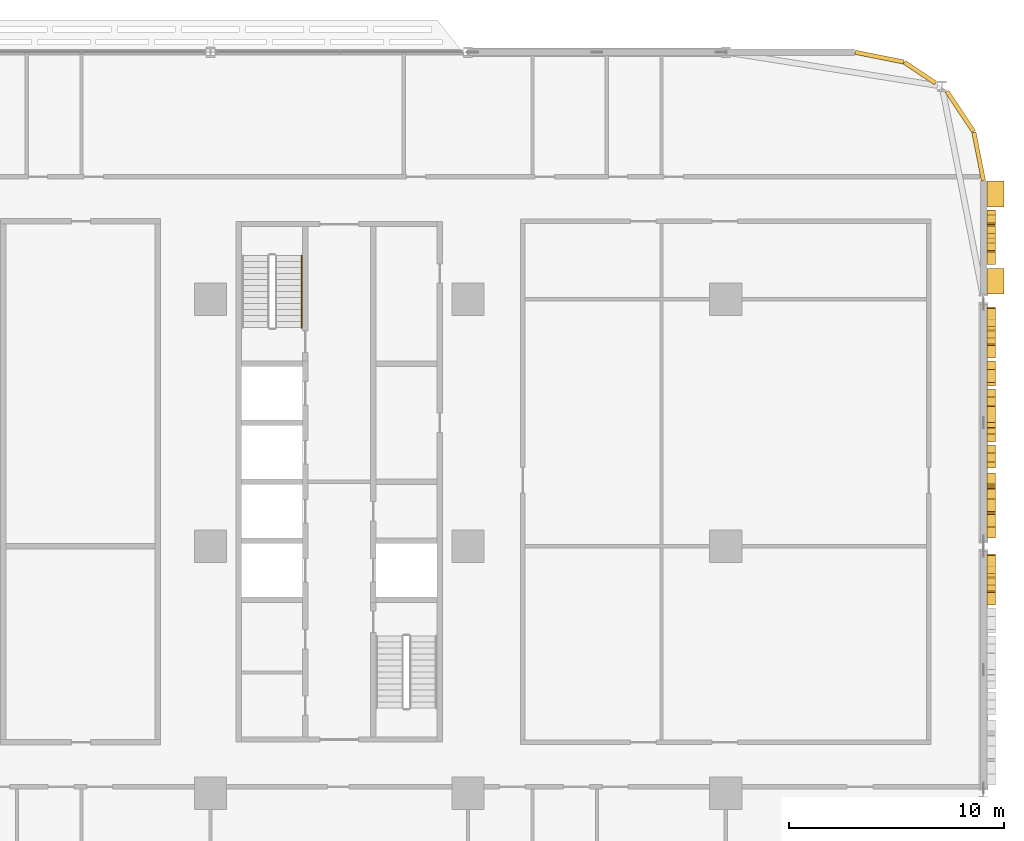
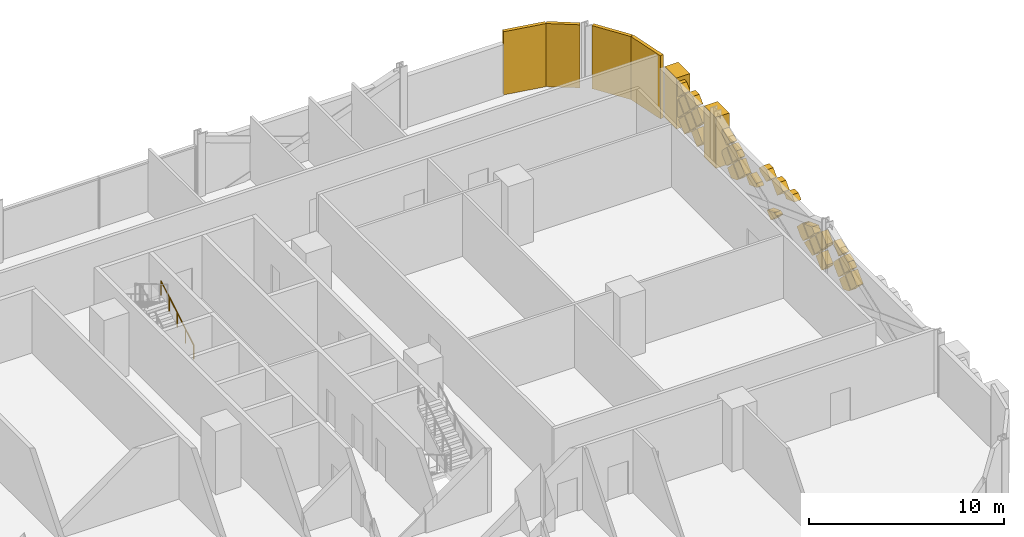
# One storey, part 29 of 29: 35 coverings, 1 railing.
"""IFC4 building model written with IfcOpenShell, lengths in metres."""

import ifcopenshell
import ifcopenshell.guid

model = None  # the IFC model being written
_history = None  # IfcOwnerHistory: only IFC2X3 demands one
_inside = {}  # id of a spatial element -> (the spatial element, [elements in it])
_under = {}  # id of a project, library or spatial element -> (it, [spatial elements below it])
_declared = {}  # id of a project -> (the project, [libraries it declares])
_typed = {}  # id of a type object -> (the type object, [elements of that type])
_made_of = {}  # id of a material, layer set ... -> (it, [elements and type objects made of it])


def new_model(schema):
    """Start an empty IFC model of exactly this schema.

    Asked for "IFC4X3", IfcOpenShell would pick the latest addendum, in which some entities
    have other attributes; the version numbers below select the first issue.
    IFC2X3 requires an IfcOwnerHistory on every rooted entity: one is made here for all.
    """
    global model, _history
    if schema == "IFC4X3":
        model = ifcopenshell.file(schema_version=(4, 3, 0, 0))
    else:
        model = ifcopenshell.file(schema=schema)
    _inside.clear()
    _under.clear()
    _declared.clear()
    _typed.clear()
    _made_of.clear()
    _history = None
    if model.schema == "IFC2X3":
        org = make("IfcOrganization", Name="unknown")
        user = make(
            "IfcPersonAndOrganization",
            ThePerson=make("IfcPerson", FamilyName="unknown"),
            TheOrganization=org,
        )
        app = make(
            "IfcApplication",
            ApplicationDeveloper=org,
            Version="unknown",
            ApplicationFullName="unknown",
            ApplicationIdentifier="unknown",
        )
        _history = make(
            "IfcOwnerHistory",
            OwningUser=user,
            OwningApplication=app,
            ChangeAction="ADDED",
            CreationDate=0,
        )
    return model


def make(cls, **values):
    """One entity of the class cls with the attributes given. An attribute that is None is left unset."""
    return model.create_entity(
        cls, **{name: value for name, value in values.items() if value is not None}
    )


def rooted(cls, **values):
    """An entity with a GlobalId (a new one), such as an element, a storey or a relation."""
    return make(cls, GlobalId=ifcopenshell.guid.new(), OwnerHistory=_history, **values)


def si_unit(unit_type, name, prefix=None):
    """IfcSIUnit, for example si_unit("LENGTHUNIT", "METRE", prefix="MILLI")."""
    return make("IfcSIUnit", UnitType=unit_type, Prefix=prefix, Name=name)


def assignment(units):
    """IfcUnitAssignment: the units of a project."""
    return None if units is None else make("IfcUnitAssignment", Units=units)


def point(xyz):
    """IfcCartesianPoint."""
    return None if xyz is None else make("IfcCartesianPoint", Coordinates=xyz)


def direction(xyz):
    """IfcDirection."""
    return None if xyz is None else make("IfcDirection", DirectionRatios=xyz)


def frame(location, z_axis=None, x_axis=None):
    """IfcAxis2Placement3D, a coordinate frame: its origin and axes. An axis left out is left unset."""
    return make(
        "IfcAxis2Placement3D",
        Location=point(location),
        Axis=direction(z_axis),
        RefDirection=direction(x_axis),
    )


def frame_2d(location, x_axis=None):
    """IfcAxis2Placement2D, a coordinate frame in the plane: its origin and x axis."""
    return make(
        "IfcAxis2Placement2D", Location=point(location), RefDirection=direction(x_axis)
    )


def origin():
    """The frame at (0, 0, 0) with its axes left unset."""
    return frame((0.0, 0.0, 0.0))


def origin_2d():
    """The frame at (0, 0) in the plane with its x axis left unset."""
    return frame_2d((0.0, 0.0))


def place(relative_to, where):
    """IfcLocalPlacement: puts the frame where relative to a parent placement (None: the world)."""
    return make(
        "IfcLocalPlacement", PlacementRelTo=relative_to, RelativePlacement=where
    )


def context(
    kind, dimensions, precision=None, world=None, true_north=None, identifier=None
):
    """IfcGeometricRepresentationContext, for example the 3D "Model" context."""
    return make(
        "IfcGeometricRepresentationContext",
        ContextIdentifier=identifier,
        ContextType=kind,
        CoordinateSpaceDimension=dimensions,
        Precision=precision,
        WorldCoordinateSystem=world,
        TrueNorth=true_north,
    )


def subcontext(parent, identifier, kind, view, scale=None):
    """IfcGeometricRepresentationSubContext, for example "Body" below "Model"."""
    return make(
        "IfcGeometricRepresentationSubContext",
        ContextIdentifier=identifier,
        ContextType=kind,
        ParentContext=parent,
        TargetScale=scale,
        TargetView=view,
    )


def project(units=None, contexts=None):
    """IfcProject with its units and contexts."""
    return rooted(
        "IfcProject",
        Name="project",
        RepresentationContexts=contexts,
        UnitsInContext=assignment(units),
    )


def spatial(cls, under=None, at=None, **own):
    """A site, building, storey or space (cls), placed at a placement, below another one or the project."""
    s = rooted(cls, ObjectPlacement=at, **own)
    if under is not None:
        _under.setdefault(under.id(), (under, []))[1].append(s)
    return s


def polyline(points):
    """IfcPolyline through the points."""
    return make("IfcPolyline", Points=[point(p) for p in points])


def profile(cls, at=None, kind="AREA", **sizes):
    """A parametric profile (cls). Its sizes go by their IFC names, for example OverallWidth=200.0."""
    return make(cls, ProfileType=kind, Position=at, **sizes)


def rectangle(**sizes):
    """IfcRectangleProfileDef."""
    return profile("IfcRectangleProfileDef", **sizes)


def circle(**sizes):
    """IfcCircleProfileDef."""
    return profile("IfcCircleProfileDef", **sizes)


def outline(outer, holes=None, kind="AREA"):
    """IfcArbitraryClosedProfileDef: a profile drawn as a closed curve; with holes, ...WithVoids."""
    if holes is None:
        return make("IfcArbitraryClosedProfileDef", ProfileType=kind, OuterCurve=outer)
    return make(
        "IfcArbitraryProfileDefWithVoids",
        ProfileType=kind,
        OuterCurve=outer,
        InnerCurves=holes,
    )


def extrude(swept, where, along, depth):
    """IfcExtrudedAreaSolid: the profile swept, set in the frame where, extruded along a direction by depth."""
    return make(
        "IfcExtrudedAreaSolid",
        SweptArea=swept,
        Position=where,
        ExtrudedDirection=direction(along),
        Depth=depth,
    )


def shape(context_of_items, identifier, shape_type, items):
    """IfcShapeRepresentation: the items that make up one representation, for example the "Body"."""
    return make(
        "IfcShapeRepresentation",
        ContextOfItems=context_of_items,
        RepresentationIdentifier=identifier,
        RepresentationType=shape_type,
        Items=items,
    )


def material(Name=None, Category=None):
    """IfcMaterial."""
    return make("IfcMaterial", Name=Name, Category=Category)


def layer(
    of_material, thickness, ventilated=None, Name=None, Category=None, Priority=None
):
    """IfcMaterialLayer: one layer of a wall or slab, of a material (None: an air gap)."""
    return make(
        "IfcMaterialLayer",
        Material=of_material,
        LayerThickness=thickness,
        IsVentilated=ventilated,
        Name=Name,
        Category=Category,
        Priority=Priority,
    )


def layer_set(layers, Name=None):
    """IfcMaterialLayerSet."""
    return make("IfcMaterialLayerSet", MaterialLayers=layers, LayerSetName=Name)


def made_of(thing, what):
    """Note that an element or type object is made of a material, layer set ...; save() writes the relation."""
    if what is not None:
        _made_of.setdefault(what.id(), (what, []))[1].append(thing)
    return thing


def type_object(cls, material=None, **own):
    """A type object (cls), such as IfcWallType, which elements share."""
    return made_of(rooted(cls, **own), material)


def element(
    cls,
    number,
    at=None,
    inside=None,
    cuts=None,
    type_object=None,
    material=None,
    context=None,
    identifier="Body",
    shape_type=None,
    held_by="IfcProductDefinitionShape",
    body=None,
    shapes=None,
    **own,
):
    """One element of the class cls, such as IfcWall. Its Tag is "e" and its number.

    at: its placement. inside: the storey or other place that contains it. cuts: it is an
    opening in that element (IfcRelVoidsElement). A single representation is given by context,
    identifier, shape_type and body (its items); several are given by shapes. held_by: the class
    of the entity that holds the representations. save() writes the other relations.
    """
    e = rooted(cls, Tag="e%d" % number, ObjectPlacement=at, **own)
    if body is not None:
        shapes = [shape(context, identifier, shape_type, body)]
    if shapes is not None:
        e.Representation = make(held_by, Representations=shapes)
    if inside is not None:
        _inside.setdefault(inside.id(), (inside, []))[1].append(e)
    if cuts is not None:
        rooted(
            "IfcRelVoidsElement", RelatingBuildingElement=cuts, RelatedOpeningElement=e
        )
    if type_object is not None:
        _typed.setdefault(type_object.id(), (type_object, []))[1].append(e)
    return made_of(e, material)


def aggregate(whole, parts):
    """IfcRelAggregates: a whole, such as a stair, and the parts it consists of."""
    return rooted("IfcRelAggregates", RelatingObject=whole, RelatedObjects=parts)


def save(model, path):
    """Write the relations noted so far, then the file.

    IfcRelAggregates (storeys below a building ...), IfcRelContainedInSpatialStructure (elements
    in a storey), IfcRelDefinesByType, IfcRelAssociatesMaterial and IfcRelDeclares: one each for
    every whole, place, type object, material and project.
    """
    for whole, parts in _under.values():
        aggregate(whole, parts)
    for where, things in _inside.values():
        rooted(
            "IfcRelContainedInSpatialStructure",
            RelatedElements=things,
            RelatingStructure=where,
        )
    for kind, things in _typed.values():
        rooted("IfcRelDefinesByType", RelatedObjects=things, RelatingType=kind)
    for what, things in _made_of.values():
        rooted("IfcRelAssociatesMaterial", RelatedObjects=things, RelatingMaterial=what)
    for by, libraries in _declared.values():
        rooted("IfcRelDeclares", RelatingContext=by, RelatedDefinitions=libraries)
    model.write(path)


model = new_model("IFC4")

# Units and contexts
model_context = context("Model", 3, precision=1e-05, world=origin(), true_north=direction((0.0, 1.0)))
body_context = subcontext(model_context, "Body", "Model", "MODEL_VIEW")
ifc_project = project(units=[si_unit("LENGTHUNIT", "METRE"), si_unit("AREAUNIT", "SQUARE_METRE"), si_unit("VOLUMEUNIT", "CUBIC_METRE"), si_unit("PLANEANGLEUNIT", "RADIAN"), si_unit("MASSUNIT", "GRAM", prefix="KILO")], contexts=[model_context])

# Site, building, storey
site_placement = place(None, origin())
site = spatial("IfcSite", under=ifc_project, at=site_placement, CompositionType="ELEMENT")
building_placement = place(site_placement, origin())
building = spatial("IfcBuilding", under=site, at=building_placement, Name="Mahtab Terrace Research Tower", CompositionType="ELEMENT")
storey_placement = place(building_placement, frame((0.0, 0.0, 67.5)))
storey = spatial("IfcBuildingStorey", under=building, at=storey_placement, Name="L15", CompositionType="ELEMENT", Elevation=67.5)

# Coverings
ifc_material_1 = material(Name="Black aluminium cladding panel", Category="aluminium")
ifc_layer_1 = layer(ifc_material_1, 0.199951171875)
ifc_layer_set_1 = layer_set([ifc_layer_1], Name="Black metal corner cladding 200")
covering_type_1 = type_object("IfcCoveringType", Name="Black metal corner cladding 200", PredefinedType="CLADDING", material=ifc_layer_set_1)
covering_1_placement = place(storey_placement, frame((52.911376953125, 20.2421875, 0.0), z_axis=(0.0, 0.0, 1.0), x_axis=(-0.555291490808, 0.831655794326, 0.0)))
element("IfcCovering", 1, at=covering_1_placement, inside=storey, type_object=covering_type_1, Name="Corner cladding L15 0", PredefinedType="CLADDING", context=body_context, shape_type="SweptSolid", body=[
    extrude(rectangle(XDim=2.235595703125, YDim=0.199951171875, at=origin_2d()), origin(), (0.0, 0.0, 1.0), 3.9599609375),
])
covering_2_placement = place(storey_placement, frame((51.0380859375, 22.047607421875, 0.0), z_axis=(0.0, 0.0, 1.0), x_axis=(-0.831655794326, 0.555291490808, 0.0)))
element("IfcCovering", 2, at=covering_2_placement, inside=storey, type_object=covering_type_1, Name="Corner cladding L15 1", PredefinedType="CLADDING", context=body_context, shape_type="SweptSolid", body=[
    extrude(rectangle(XDim=1.74462890625, YDim=0.199951171875, at=origin_2d()), origin(), (0.0, 0.0, 1.0), 3.9599609375),
])
for number, where, z_axis, x_axis, name in (
    (3, (49.14794921875, 22.771484375, 0.0), (0.0, 0.0, 1.0), (-0.980760981187, 0.195212442692, 0.0), "Corner cladding L15 2"),
    (4, (53.771484375, 18.14794921875, 0.0), (0.0, 0.0, 1.0), (-0.195212442692, 0.980760981187, 0.0), "Corner cladding L15 39"),
):
    element("IfcCovering", number, at=place(storey_placement, frame(where, z_axis=z_axis, x_axis=x_axis)), inside=storey, type_object=covering_type_1, Name=name, PredefinedType="CLADDING", context=body_context, shape_type="SweptSolid", body=[
        extrude(rectangle(XDim=2.30126953125, YDim=0.199951171875, at=origin_2d()), origin(), (0.0, 0.0, 1.0), 3.9599609375),
    ])
ifc_material_2 = material(Name="Bronze anodised aluminium", Category="aluminium")
ifc_layer_2 = layer(ifc_material_2, 0.39990234375)
ifc_layer_set_2 = layer_set([ifc_layer_2], Name="Mashrabiya relief panel 400")
covering_type_2 = type_object("IfcCoveringType", Name="Mashrabiya relief panel 400", PredefinedType="CLADDING", material=ifc_layer_set_2)
covering_3_placement = place(storey_placement, frame((54.14990234375, -2.162109375, 1.97998046875), z_axis=(-1.0, 0.0, 0.0), x_axis=(0.0, 0.707106781187, -0.707106781187)))
element("IfcCovering", 5, at=covering_3_placement, inside=storey, type_object=covering_type_2, Name="Mashrabiya lattice cell L15 E36.12", PredefinedType="CLADDING", context=body_context, shape_type="SweptSolid", body=[
    extrude(outline(polyline([(0.0, 0.0), (0.8203543516109556, 0.0), (0.820181718119455, 0.820181718119455), (0.0001726334915006511, 0.820181718119455), (0.0, 0.0)])), origin(), (0.0, 0.0, -1.0), 0.39990234375),
])
covering_4_placement = place(storey_placement, frame((54.14990234375, -2.092041015625, 0.75), z_axis=(-1.0, 0.0, 0.0), x_axis=(0.0, 0.707106781187, 0.707106781187)))
element("IfcCovering", 6, at=covering_4_placement, inside=storey, type_object=covering_type_2, Name="Mashrabiya lattice cell L15 E36.13", PredefinedType="CLADDING", context=body_context, shape_type="SweptSolid", body=[
    extrude(outline(polyline([(0.0, 0.0), (0.8203543516109556, 0.0), (0.8203543516109556, 0.8203543516109556), (0.2587776037594323, 0.8201817181194551), (0.0, 0.25169963060790684), (0.0, 0.0)])), origin(), (0.0, 0.0, -1.0), 0.39990234375),
])
covering_5_placement = place(storey_placement, frame((54.14990234375, -0.931884765625, 2.050048828125), z_axis=(-1.0, 0.0, 0.0), x_axis=(0.0, -0.707106781187, -0.707106781187)))
element("IfcCovering", 7, at=covering_5_placement, inside=storey, type_object=covering_type_2, Name="Mashrabiya lattice cell L15 E36.14", PredefinedType="CLADDING", context=body_context, shape_type="SweptSolid", body=[
    extrude(outline(polyline([(0.0, 0.0), (0.8203543516109556, 0.0), (0.8203543516109556, 0.8203543516109556), (0.4257141900405338, 0.8203543516109556), (0.0001726334915005956, 0.6264869406557572), (0.0, 0.0)])), origin(), (0.0, 0.0, -1.0), 0.39990234375),
])
covering_6_placement = place(storey_placement, frame((54.14990234375, -0.862060546875, 0.820068359375), z_axis=(-1.0, 0.0, 0.0), x_axis=(0.0, -0.707106781187, 0.707106781187)))
element("IfcCovering", 8, at=covering_6_placement, inside=storey, type_object=covering_type_2, Name="Mashrabiya lattice cell L15 E36.15", PredefinedType="CLADDING", context=body_context, shape_type="SweptSolid", body=[
    extrude(outline(polyline([(0.0, 0.0), (0.8200090846279543, 0.0), (0.820181718119455, 0.820181718119455), (0.12861195116796337, 0.8201817181194551), (0.0, 0.6915697669514916), (0.0, 0.0)])), origin(), (0.0, 0.0, -1.0), 0.39990234375),
])
covering_7_placement = place(storey_placement, frame((54.14990234375, -0.862060546875, 2.1201171875), z_axis=(-1.0, 0.0, 0.0), x_axis=(0.0, -0.707106781187, 0.707106781187)))
element("IfcCovering", 9, at=covering_7_placement, inside=storey, type_object=covering_type_2, Name="Mashrabiya lattice cell L15 E36.16", PredefinedType="CLADDING", context=body_context, shape_type="SweptSolid", body=[
    extrude(outline(polyline([(0.0, 0.0), (0.5810843323910936, 0.0), (0.20767809027524825, 0.8201817181194551), (0.12861195116796337, 0.8201817181194551), (-0.0001726334915006511, 0.691397133459991), (0.0, 0.0)])), origin(), (0.0, 0.0, -1.0), 0.39990234375),
])
covering_8_placement = place(storey_placement, frame((54.14990234375, 0.373046875, 0.68505859375), z_axis=(-1.0, 0.0, 0.0), x_axis=(0.0, 0.0, 1.0)))
element("IfcCovering", 10, at=covering_8_placement, inside=storey, type_object=covering_type_2, Name="Mashrabiya lattice cell L15 E37.1", PredefinedType="CLADDING", context=body_context, shape_type="SweptSolid", body=[
    extrude(outline(polyline([(0.0, 0.0), (0.1298828125, 0.0), (0.64501953125, 0.514892578125), (0.06494140625, 1.094970703125), (-0.486083984375, 0.5439453125), (-0.501953125, 0.501953125), (0.0, 0.0)])), origin(), (0.0, 0.0, -1.0), 0.39990234375),
])
covering_9_placement = place(storey_placement, frame((54.14990234375, 0.887939453125, 2.6298828125), z_axis=(-1.0, 0.0, 0.0), x_axis=(0.0, 0.707255598772, -0.706957932274)))
element("IfcCovering", 11, at=covering_9_placement, inside=storey, type_object=covering_type_2, Name="Mashrabiya lattice cell L15 E37.2", PredefinedType="CLADDING", context=body_context, shape_type="SweptSolid", body=[
    extrude(outline(polyline([(0.0, 0.0), (0.8201817362875763, 0.0), (0.8200090664636573, 0.8203543334390104), (0.0916684182924955, 0.820028397344618), (-0.0001532662704735177, 0.7281680510197277), (0.0, 0.0)])), origin(), (0.0, 0.0, -1.0), 0.39990234375),
])
covering_10_placement = place(storey_placement, frame((54.14990234375, 1.5380859375, 1.97998046875), z_axis=(-1.0, 0.0, 0.0), x_axis=(0.0, 0.706957932274, -0.707255598772)))
element("IfcCovering", 12, at=covering_10_placement, inside=storey, type_object=covering_type_2, Name="Mashrabiya lattice cell L15 E37.3", PredefinedType="CLADDING", context=body_context, shape_type="SweptSolid", body=[
    extrude(outline(polyline([(0.0, 0.0), (0.8201817362875763, 0.0), (0.8203543334390104, 0.8200090664636573), (0.00017266982391900276, 0.8203543334390104), (0.0, 0.0)])), origin(), (0.0, 0.0, -1.0), 0.39990234375),
])
covering_11_placement = place(storey_placement, frame((54.14990234375, 1.60791015625, 0.75), z_axis=(-1.0, 0.0, 0.0), x_axis=(0.0, 0.707106781187, 0.707106781187)))
element("IfcCovering", 13, at=covering_11_placement, inside=storey, type_object=covering_type_2, Name="Mashrabiya lattice cell L15 E37.4", PredefinedType="CLADDING", context=body_context, shape_type="SweptSolid", body=[
    extrude(outline(polyline([(0.0, 0.0), (0.8203543516109556, 0.0), (0.8203543516109556, 0.6746516847844307), (0.00017263349150062335, 0.30124544266858533), (0.0, 0.0)])), origin(), (0.0, 0.0, -1.0), 0.39990234375),
])
covering_12_placement = place(storey_placement, frame((54.14990234375, 2.18798828125, 1.469970703125), z_axis=(-1.0, 0.0, 0.0), x_axis=(0.0, -0.707106781187, 0.707106781187)))
element("IfcCovering", 14, at=covering_12_placement, inside=storey, type_object=covering_type_2, Name="Mashrabiya lattice cell L15 E37.5", PredefinedType="CLADDING", context=body_context, shape_type="SweptSolid", body=[
    extrude(outline(polyline([(0.0, 0.0), (0.8203543516109556, 0.0), (0.8203543516109556, 0.3663282689643198), (0.0, 0.7395618775886645), (0.0, 0.0)])), origin(), (0.0, 0.0, -1.0), 0.39990234375),
])
covering_13_placement = place(storey_placement, frame((54.14990234375, 2.258056640625, 1.39990234375), z_axis=(-1.0, 0.0, 0.0), x_axis=(0.0, 0.706951253472, 0.707262274701)))
element("IfcCovering", 15, at=covering_13_placement, inside=storey, type_object=covering_type_2, Name="Mashrabiya lattice cell L15 E37.6", PredefinedType="CLADDING", context=body_context, shape_type="SweptSolid", body=[
    extrude(outline(polyline([(0.0, 0.0), (0.7849645048365574, 0.0), (0.8203372468654967, 0.07786548590792092), (0.8200013196396647, 0.8203620769294314), (0.21906418822525364, 0.8200572821996643), (1.4351321356742552e-05, 0.7197090466274312), (0.0, 0.0)])), origin(), (0.0, 0.0, -1.0), 0.39990234375),
])
covering_14_placement = place(storey_placement, frame((54.14990234375, 4.718017578125, 2.699951171875), z_axis=(-1.0, 0.0, 0.0), x_axis=(0.0, -0.707492020426, -0.70672133195)))
element("IfcCovering", 16, at=covering_14_placement, inside=storey, type_object=covering_type_2, Name="Mashrabiya lattice cell L15 E37.7", PredefinedType="CLADDING", context=body_context, shape_type="SweptSolid", body=[
    extrude(outline(polyline([(0.0, 0.0), (0.3167825039427363, 0.0), (0.6906356560590083, 0.8199781052206124), (0.30013875626957, 0.8201909100706339), (0.00011101225597937026, 0.5204899936649013), (0.0, 0.0)])), origin(), (0.0, 0.0, -1.0), 0.39990234375),
])
covering_15_placement = place(storey_placement, frame((54.14990234375, 4.85791015625, 2.699951171875), z_axis=(-1.0, 0.0, 0.0), x_axis=(0.0, 0.707106781187, 0.707106781187)))
element("IfcCovering", 17, at=covering_15_placement, inside=storey, type_object=covering_type_2, Name="Mashrabiya lattice cell L15 E37.8", PredefinedType="CLADDING", context=body_context, shape_type="SweptSolid", body=[
    extrude(outline(polyline([(0.0, 0.0), (0.5206626103658758, 0.0), (0.8203543516109556, 0.2996917412450798), (0.8203543516109556, 0.8203543516109556), (0.002934769355510569, 0.8201817181194551), (0.0, 0.0)])), origin(), (0.0, 0.0, -1.0), 0.39990234375),
])
covering_16_placement = place(storey_placement, frame((54.14990234375, 6.087890625, 0.169921875), z_axis=(-1.0, 0.0, 0.0), x_axis=(0.0, -0.706957932274, 0.707255598772)))
element("IfcCovering", 18, at=covering_16_placement, inside=storey, type_object=covering_type_2, Name="Mashrabiya lattice cell L15 E37.9", PredefinedType="CLADDING", context=body_context, shape_type="SweptSolid", body=[
    extrude(outline(polyline([(0.0, 0.0), (0.8201817362875763, 0.0), (0.8201894395709667, 0.03659829938743059), (0.7247673420928388, 0.2467133478318546), (-5.1161429309332096e-05, 0.5771137856389806), (0.0, 0.0)])), origin(), (0.0, 0.0, -1.0), 0.39990234375),
])
covering_17_placement = place(storey_placement, frame((54.14990234375, 6.157958984375, 2.699951171875), z_axis=(-1.0, 0.0, 0.0), x_axis=(0.0, 0.706872212693, 0.707341271892)))
element("IfcCovering", 19, at=covering_17_placement, inside=storey, type_object=covering_type_2, Name="Mashrabiya lattice cell L15 E37.10", PredefinedType="CLADDING", context=body_context, shape_type="SweptSolid", body=[
    extrude(outline(polyline([(0.0, 0.0), (0.5204900055034775, 5.551115123125783e-17), (0.8202549062476894, 0.299963815741388), (0.8200822155074813, 0.8206263974686675), (0.5768416966205461, 0.820373087178654), (-0.00018482947924125526, 0.5572608799123536), (0.0, 0.0)])), origin(), (0.0, 0.0, -1.0), 0.39990234375),
])
covering_18_placement = place(storey_placement, frame((54.14990234375, 7.4580078125, 1.39990234375), z_axis=(-1.0, 0.0, 0.0), x_axis=(0.0, 0.707106781187, 0.707106781187)))
element("IfcCovering", 20, at=covering_18_placement, inside=storey, type_object=covering_type_2, Name="Mashrabiya lattice cell L15 E37.11", PredefinedType="CLADDING", context=body_context, shape_type="SweptSolid", body=[
    extrude(outline(polyline([(0.0, 0.0), (0.21648239834177996, 0.0), (0.820181718119455, 0.2756956859264933), (0.820181718119455, 0.820181718119455), (0.3409511457137283, 0.820181718119455), (0.0, 0.07354186737926496), (0.0, 0.0)])), origin(), (0.0, 0.0, -1.0), 0.39990234375),
])
covering_19_placement = place(storey_placement, frame((54.14990234375, 9.337890625, 1.97998046875), z_axis=(-1.0, 0.0, 0.0), x_axis=(0.0, 0.707106781187, -0.707106781187)))
element("IfcCovering", 21, at=covering_19_placement, inside=storey, type_object=covering_type_2, Name="Mashrabiya lattice cell L15 E37.12", PredefinedType="CLADDING", context=body_context, shape_type="SweptSolid", body=[
    extrude(outline(polyline([(0.0, 0.0), (0.8203543516109556, 0.0), (0.820181718119455, 0.820181718119455), (0.0001726334915006511, 0.820181718119455), (0.0, 0.0)])), origin(), (0.0, 0.0, -1.0), 0.39990234375),
])
covering_20_placement = place(storey_placement, frame((54.14990234375, 9.407958984375, 0.75), z_axis=(-1.0, 0.0, 0.0), x_axis=(0.0, 0.707106781187, 0.707106781187)))
element("IfcCovering", 22, at=covering_20_placement, inside=storey, type_object=covering_type_2, Name="Mashrabiya lattice cell L15 E37.13", PredefinedType="CLADDING", context=body_context, shape_type="SweptSolid", body=[
    extrude(outline(polyline([(0.0, 0.0), (0.8203543516109556, 0.0), (0.8203543516109556, 0.8203543516109556), (0.2587776037594323, 0.8201817181194551), (0.0, 0.25169963060790684), (0.0, 0.0)])), origin(), (0.0, 0.0, -1.0), 0.39990234375),
])
covering_21_placement = place(storey_placement, frame((54.14990234375, 10.568115234375, 2.050048828125), z_axis=(-1.0, 0.0, 0.0), x_axis=(0.0, -0.707106781187, -0.707106781187)))
element("IfcCovering", 23, at=covering_21_placement, inside=storey, type_object=covering_type_2, Name="Mashrabiya lattice cell L15 E37.14", PredefinedType="CLADDING", context=body_context, shape_type="SweptSolid", body=[
    extrude(outline(polyline([(0.0, 0.0), (0.8203543516109556, 0.0), (0.8203543516109556, 0.8203543516109556), (0.4257141900405338, 0.8203543516109556), (0.0001726334915005956, 0.6264869406557572), (0.0, 0.0)])), origin(), (0.0, 0.0, -1.0), 0.39990234375),
])
covering_22_placement = place(storey_placement, frame((54.14990234375, 10.637939453125, 0.820068359375), z_axis=(-1.0, 0.0, 0.0), x_axis=(0.0, -0.707106781187, 0.707106781187)))
element("IfcCovering", 24, at=covering_22_placement, inside=storey, type_object=covering_type_2, Name="Mashrabiya lattice cell L15 E37.15", PredefinedType="CLADDING", context=body_context, shape_type="SweptSolid", body=[
    extrude(outline(polyline([(0.0, 0.0), (0.8200090846279543, 0.0), (0.820181718119455, 0.820181718119455), (0.12861195116796337, 0.8201817181194551), (0.0, 0.6915697669514916), (0.0, 0.0)])), origin(), (0.0, 0.0, -1.0), 0.39990234375),
])
covering_23_placement = place(storey_placement, frame((54.14990234375, 10.637939453125, 2.1201171875), z_axis=(-1.0, 0.0, 0.0), x_axis=(0.0, -0.707106781187, 0.707106781187)))
element("IfcCovering", 25, at=covering_23_placement, inside=storey, type_object=covering_type_2, Name="Mashrabiya lattice cell L15 E37.16", PredefinedType="CLADDING", context=body_context, shape_type="SweptSolid", body=[
    extrude(outline(polyline([(0.0, 0.0), (0.5810843323910936, 0.0), (0.20767809027524825, 0.8201817181194551), (0.12861195116796337, 0.8201817181194551), (-0.0001726334915006511, 0.691397133459991), (0.0, 0.0)])), origin(), (0.0, 0.0, -1.0), 0.39990234375),
])
covering_24_placement = place(storey_placement, frame((54.14990234375, 13.68798828125, 1.330078125), z_axis=(-1.0, 0.0, 0.0), x_axis=(0.0, 0.707106781187, -0.707106781187)))
element("IfcCovering", 26, at=covering_24_placement, inside=storey, type_object=covering_type_2, Name="Mashrabiya lattice cell L15 E38.1", PredefinedType="CLADDING", context=body_context, shape_type="SweptSolid", body=[
    extrude(outline(polyline([(0.0, 0.0), (0.8203543516109556, 0.0), (0.8203543516109556, 0.8203543516109556), (0.0, 0.8203543516109556), (0.0, 0.0)])), origin(), (0.0, 0.0, -1.0), 0.39990234375),
])
covering_25_placement = place(storey_placement, frame((54.14990234375, 13.68798828125, 2.6298828125), z_axis=(-1.0, 0.0, 0.0), x_axis=(0.0, 0.707255598772, -0.706957932274)))
element("IfcCovering", 27, at=covering_25_placement, inside=storey, type_object=covering_type_2, Name="Mashrabiya lattice cell L15 E38.2", PredefinedType="CLADDING", context=body_context, shape_type="SweptSolid", body=[
    extrude(outline(polyline([(0.0, 0.0), (0.8201817362875763, 0.0), (0.8200090664636573, 0.8203543334390104), (-0.0003452669753531423, 0.8201816636150915), (0.0, 0.0)])), origin(), (0.0, 0.0, -1.0), 0.39990234375),
])
covering_26_placement = place(storey_placement, frame((54.14990234375, 14.337890625, 1.97998046875), z_axis=(-1.0, 0.0, 0.0), x_axis=(0.0, 0.707106781187, -0.707106781187)))
element("IfcCovering", 28, at=covering_26_placement, inside=storey, type_object=covering_type_2, Name="Mashrabiya lattice cell L15 E38.3", PredefinedType="CLADDING", context=body_context, shape_type="SweptSolid", body=[
    extrude(outline(polyline([(0.0, 0.0), (0.8203543516109556, 0.0), (0.820181718119455, 0.820181718119455), (0.0001726334915006511, 0.820181718119455), (0.0, 0.0)])), origin(), (0.0, 0.0, -1.0), 0.39990234375),
])
covering_27_placement = place(storey_placement, frame((54.14990234375, 14.91796875, 2.699951171875), z_axis=(-1.0, 0.0, 0.0), x_axis=(0.0, -0.707255598772, -0.706957932274)))
element("IfcCovering", 29, at=covering_27_placement, inside=storey, type_object=covering_type_2, Name="Mashrabiya lattice cell L15 E38.4", PredefinedType="CLADDING", context=body_context, shape_type="SweptSolid", body=[
    extrude(outline(polyline([(0.0, 0.0), (0.8201817362875763, 0.0), (0.8203543334390104, 0.8200090664636573), (0.2998644044304261, 0.8202912537221916), (-6.307971681890345e-05, 0.5204900016810691), (0.0, 0.0)])), origin(), (0.0, 0.0, -1.0), 0.39990234375),
])
covering_28_placement = place(storey_placement, frame((54.14990234375, 14.988037109375, 1.330078125), z_axis=(-1.0, 0.0, 0.0), x_axis=(0.0, 0.707106781187, -0.707106781187)))
element("IfcCovering", 30, at=covering_28_placement, inside=storey, type_object=covering_type_2, Name="Mashrabiya lattice cell L15 E38.5", PredefinedType="CLADDING", context=body_context, shape_type="SweptSolid", body=[
    extrude(outline(polyline([(0.0, 0.0), (0.8203543516109556, 0.0), (0.8203543516109556, 0.8203543516109556), (0.0, 0.8203543516109556), (0.0, 0.0)])), origin(), (0.0, 0.0, -1.0), 0.39990234375),
])
covering_29_placement = place(storey_placement, frame((54.14990234375, 14.988037109375, 2.6298828125), z_axis=(-1.0, 0.0, 0.0), x_axis=(0.0, 0.707255598772, -0.706957932274)))
element("IfcCovering", 31, at=covering_29_placement, inside=storey, type_object=covering_type_2, Name="Mashrabiya lattice cell L15 E38.6", PredefinedType="CLADDING", context=body_context, shape_type="SweptSolid", body=[
    extrude(outline(polyline([(0.0, 0.0), (0.8201817362875763, 0.0), (0.8200090664636573, 0.8203543334390104), (-0.0003452669753531423, 0.8201816636150915), (0.0, 0.0)])), origin(), (0.0, 0.0, -1.0), 0.39990234375),
])
covering_30_placement = place(storey_placement, frame((54.14990234375, 15.637939453125, 0.820068359375), z_axis=(-1.0, 0.0, 0.0), x_axis=(0.0, -0.707106781187, 0.707106781187)))
element("IfcCovering", 32, at=covering_30_placement, inside=storey, type_object=covering_type_2, Name="Mashrabiya lattice cell L15 E38.7", PredefinedType="CLADDING", context=body_context, shape_type="SweptSolid", body=[
    extrude(outline(polyline([(0.0, 0.0), (0.8200090846279543, 0.0), (0.820181718119455, 0.820181718119455), (0.7818570830063168, 0.820181718119455), (-0.00017263349150062335, 0.038152001621637455), (0.0, 0.0)])), origin(), (0.0, 0.0, -1.0), 0.39990234375),
])
covering_31_placement = place(storey_placement, frame((54.14990234375, 15.637939453125, 2.1201171875), z_axis=(-1.0, 0.0, 0.0), x_axis=(0.0, -0.707106781187, 0.707106781187)))
element("IfcCovering", 33, at=covering_31_placement, inside=storey, type_object=covering_type_2, Name="Mashrabiya lattice cell L15 E38.8", PredefinedType="CLADDING", context=body_context, shape_type="SweptSolid", body=[
    extrude(outline(polyline([(0.0, 0.0), (0.8200090846279543, 0.0), (0.820181718119455, 0.5204899768743753), (0.651173529940346, 0.6894981650534842), (-0.00017263349150062335, 0.038152001621637455), (0.0, 0.0)])), origin(), (0.0, 0.0, -1.0), 0.39990234375),
])
ifc_material_3 = material(Name="Glazed ceramic tile cladding", Category="masonry")
ifc_layer_3 = layer(ifc_material_3, 0.800048828125)
ifc_layer_set_3 = layer_set([ifc_layer_3], Name="Pishtaq frame pier 800")
covering_type_3 = type_object("IfcCoveringType", Name="Pishtaq frame pier 800", PredefinedType="CLADDING", material=ifc_layer_set_3)
for number, where, z_axis, x_axis, name in (
    (34, (54.550048828125, 12.337890625, 0.00048828125), (0.0, 0.0, 1.0), (0.0, 1.0, 0.0), "Pishtaq frame pier 38a"),
    (35, (54.550048828125, 16.39990234375, 0.00048828125), (0.0, 0.0, 1.0), (0.0, 1.0, 0.0), "Pishtaq frame pier 38b"),
):
    element("IfcCovering", number, at=place(storey_placement, frame(where, z_axis=z_axis, x_axis=x_axis)), inside=storey, type_object=covering_type_3, Name=name, PredefinedType="CLADDING", context=body_context, shape_type="SweptSolid", body=[
        extrude(rectangle(XDim=1.199951171875, YDim=0.800048828125, at=origin_2d()), origin(), (0.0, 0.0, 1.0), 3.202880859375),
    ])

# Railing
ifc_material_4 = material(Name="Stainless steel AISI 304", Category="steel")
railing_type = type_object("IfcRailingType", Name="Stair handrail 900", PredefinedType="HANDRAIL", material=ifc_material_4)
railing_placement = place(storey_placement, frame((22.25, 10.175048828125, 0.165283203125)))
element("IfcRailing", 36, at=railing_placement, inside=storey, type_object=railing_type, Name="L15 ST3 stair handrail 1", PredefinedType="HANDRAIL", context=body_context, shape_type="SweptSolid", body=[
    extrude(circle(Radius=0.02392578125, at=origin_2d()), frame((0.0, 0.0, 0.8759765625), z_axis=(0.0, 0.861011212953, 0.508585972249), x_axis=(-1.0, 0.0, 0.0)), (0.0, 0.0, 1.0), 3.90234375),
    extrude(circle(Radius=0.02099609375, at=origin_2d()), origin(), (0.0, 0.0, 1.0), 0.851806640625),
    extrude(circle(Radius=0.02099609375, at=origin_2d()), frame((0.0, 0.83984375, 0.49609375)), (0.0, 0.0, 1.0), 0.851806640625),
    extrude(circle(Radius=0.02099609375, at=origin_2d()), frame((0.0, 1.679931640625, 0.9921875)), (0.0, 0.0, 1.0), 0.851806640625),
    extrude(circle(Radius=0.02099609375, at=origin_2d()), frame((0.0, 2.52001953125, 1.488525390625)), (0.0, 0.0, 1.0), 0.851806640625),
    extrude(circle(Radius=0.02099609375, at=origin_2d()), frame((0.0, 3.35986328125, 1.984619140625)), (0.0, 0.0, 1.0), 0.851806640625),
])

save(model, "model.ifc")
